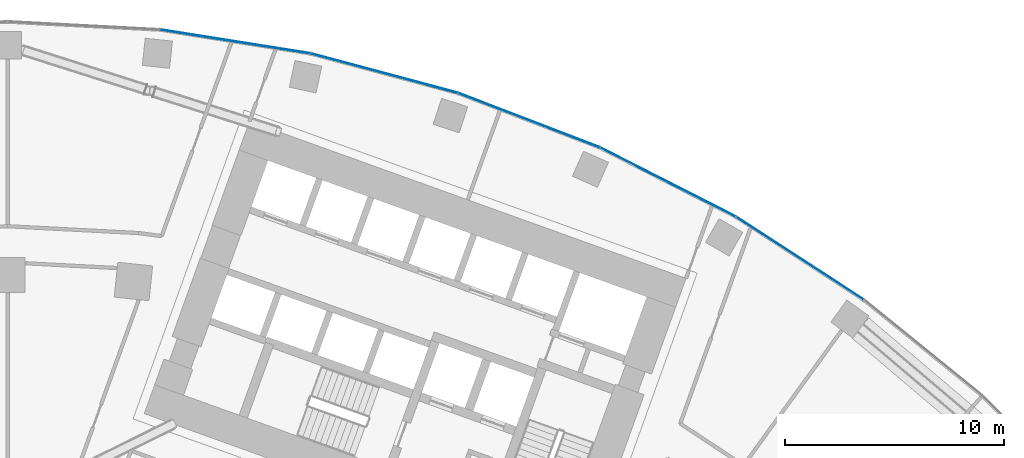
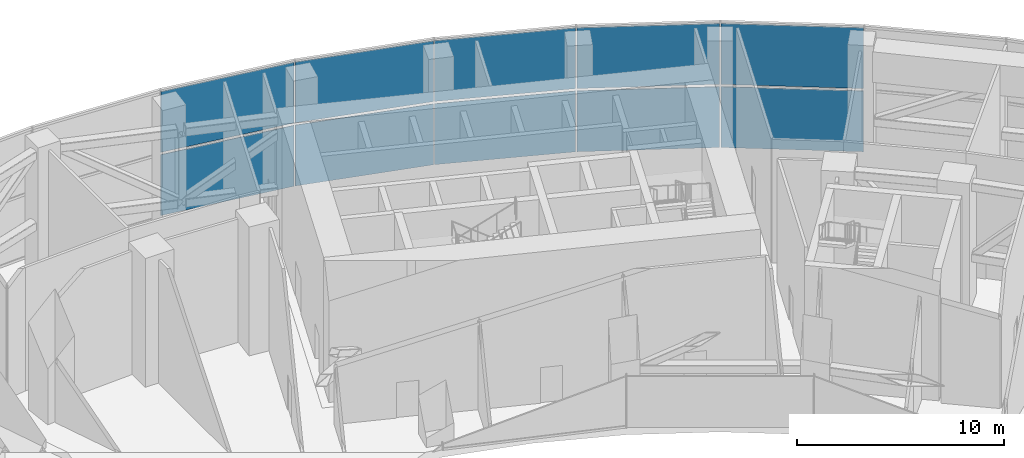
# One storey, part 21 of 33: 10 plates, 1 element without a shape of its own.
"""IFC4 building model written with IfcOpenShell, lengths in metres."""

from ifc_helpers import new_model, si_unit, direction, frame, origin, origin_2d, place, context, subcontext, project, spatial, rectangle, extrude, material, layer, layer_set, type_object, element, aggregate, save


model = new_model("IFC4")

# Units and contexts
model_context = context("Model", 3, precision=1e-05, world=origin(), true_north=direction((0.0, 1.0)))
body_context = subcontext(model_context, "Body", "Model", "MODEL_VIEW")
ifc_project = project(units=[si_unit("LENGTHUNIT", "METRE"), si_unit("AREAUNIT", "SQUARE_METRE"), si_unit("VOLUMEUNIT", "CUBIC_METRE"), si_unit("PLANEANGLEUNIT", "RADIAN"), si_unit("MASSUNIT", "GRAM", prefix="KILO")], contexts=[model_context])

# Site, building, storey
site_placement = place(None, origin())
site = spatial("IfcSite", under=ifc_project, at=site_placement, CompositionType="ELEMENT")
building_placement = place(site_placement, origin())
building = spatial("IfcBuilding", under=site, at=building_placement, Name="Stone Belt Terrace Tower", CompositionType="ELEMENT")
storey_placement = place(building_placement, frame((0.0, 0.0, 79.39990234375)))
storey = spatial("IfcBuildingStorey", under=building, at=storey_placement, Name="L19", CompositionType="ELEMENT", Elevation=79.39990234375)

# Curtain wall, plates
ifc_material_1 = material(Name="Aluminium 6063-T6 anodised frame", Category="aluminium")
ifc_layer_1 = layer(ifc_material_1, 0.14990234375)
ifc_layer_set_1 = layer_set([ifc_layer_1], Name="CW-A unitised convex-face curtain wall")
curtain_wall_type = type_object("IfcCurtainWallType", Name="CW-A unitised convex-face curtain wall", PredefinedType="NOTDEFINED", material=ifc_layer_set_1)
curtain_wall_placement = place(storey_placement, origin())
curtain_wall = element("IfcCurtainWall", 1, at=curtain_wall_placement, inside=storey, type_object=curtain_wall_type, Name="CW-A convex face L19", PredefinedType="NOTDEFINED")
ifc_material_2 = material(Name="Terracotta coloured glazed ceramic", Category="masonry")
ifc_layer_2 = layer(ifc_material_2, 0.031982421875)
ifc_layer_set_2 = layer_set([ifc_layer_2], Name="CW-A ceramic louvre panel 32")
plate_type = type_object("IfcPlateType", Name="CW-A ceramic louvre panel 32", PredefinedType="CURTAIN_PANEL", material=ifc_layer_set_2)
plate_1_placement = place(storey_placement, frame((36.209716796875, 55.758056640625, 0.14013671875), z_axis=(0.0, 0.0, 1.0), x_axis=(-0.838670567945, 0.544639035015, 0.0)))
plate_1 = element("IfcPlate", 2, at=plate_1_placement, type_object=plate_type, Name="CW-A louvre panel 4.1", PredefinedType="CURTAIN_PANEL", context=body_context, shape_type="SweptSolid", body=[
    extrude(rectangle(XDim=6.90087890625, YDim=0.031982421875, at=origin_2d()), origin(), (0.0, 0.0, 1.0), 3.590087890625),
])
plate_2_placement = place(storey_placement, frame((36.209716796875, 55.758056640625, 3.8701171875), z_axis=(0.0, 0.0, 1.0), x_axis=(-0.838670567945, 0.544639035015, 0.0)))
plate_2 = element("IfcPlate", 3, at=plate_2_placement, type_object=plate_type, Name="CW-A louvre panel 4.2", PredefinedType="CURTAIN_PANEL", context=body_context, shape_type="SweptSolid", body=[
    extrude(rectangle(XDim=6.90087890625, YDim=0.031982421875, at=origin_2d()), origin(), (0.0, 0.0, 1.0), 3.590087890625),
])
plate_3_placement = place(storey_placement, frame((30.18310546875, 59.237548828125, 0.14013671875), z_axis=(0.0, 0.0, 1.0), x_axis=(-0.891006524188, 0.45399049974, 0.0)))
plate_3 = element("IfcPlate", 4, at=plate_3_placement, type_object=plate_type, Name="CW-A louvre panel 5.1", PredefinedType="CURTAIN_PANEL", context=body_context, shape_type="SweptSolid", body=[
    extrude(rectangle(XDim=6.90087890625, YDim=0.031982421875, at=origin_2d()), origin(), (0.0, 0.0, 1.0), 3.590087890625),
])
plate_4_placement = place(storey_placement, frame((30.18310546875, 59.237548828125, 3.8701171875), z_axis=(0.0, 0.0, 1.0), x_axis=(-0.891006524188, 0.45399049974, 0.0)))
plate_4 = element("IfcPlate", 5, at=plate_4_placement, type_object=plate_type, Name="CW-A louvre panel 5.2", PredefinedType="CURTAIN_PANEL", context=body_context, shape_type="SweptSolid", body=[
    extrude(rectangle(XDim=6.90087890625, YDim=0.031982421875, at=origin_2d()), origin(), (0.0, 0.0, 1.0), 3.590087890625),
])
plate_5_placement = place(storey_placement, frame((23.82568359375, 62.068115234375, 0.14013671875), z_axis=(0.0, 0.0, 1.0), x_axis=(-0.933580426497, 0.358367949545, 0.0)))
plate_5 = element("IfcPlate", 6, at=plate_5_placement, type_object=plate_type, Name="CW-A louvre panel 6.1", PredefinedType="CURTAIN_PANEL", context=body_context, shape_type="SweptSolid", body=[
    extrude(rectangle(XDim=6.90087890625, YDim=0.031982421875, at=origin_2d()), origin(), (0.0, 0.0, 1.0), 3.590087890625),
])
plate_6_placement = place(storey_placement, frame((23.82568359375, 62.068115234375, 3.8701171875), z_axis=(0.0, 0.0, 1.0), x_axis=(-0.933580426497, 0.358367949545, 0.0)))
plate_6 = element("IfcPlate", 7, at=plate_6_placement, type_object=plate_type, Name="CW-A louvre panel 6.2", PredefinedType="CURTAIN_PANEL", context=body_context, shape_type="SweptSolid", body=[
    extrude(rectangle(XDim=6.90087890625, YDim=0.031982421875, at=origin_2d()), origin(), (0.0, 0.0, 1.0), 3.590087890625),
])
plate_7_placement = place(storey_placement, frame((17.207275390625, 64.218505859375, 0.14013671875), z_axis=(0.0, 0.0, 1.0), x_axis=(-0.965925826289, 0.258819045103, 0.0)))
plate_7 = element("IfcPlate", 8, at=plate_7_placement, type_object=plate_type, Name="CW-A louvre panel 7.1", PredefinedType="CURTAIN_PANEL", context=body_context, shape_type="SweptSolid", body=[
    extrude(rectangle(XDim=6.90087890625, YDim=0.031982421875, at=origin_2d()), origin(), (0.0, 0.0, 1.0), 3.590087890625),
])
plate_8_placement = place(storey_placement, frame((17.207275390625, 64.218505859375, 3.8701171875), z_axis=(0.0, 0.0, 1.0), x_axis=(-0.965925826289, 0.258819045103, 0.0)))
plate_8 = element("IfcPlate", 9, at=plate_8_placement, type_object=plate_type, Name="CW-A louvre panel 7.2", PredefinedType="CURTAIN_PANEL", context=body_context, shape_type="SweptSolid", body=[
    extrude(rectangle(XDim=6.90087890625, YDim=0.031982421875, at=origin_2d()), origin(), (0.0, 0.0, 1.0), 3.590087890625),
])
plate_9_placement = place(storey_placement, frame((10.400390625, 65.665283203125, 0.14013671875), z_axis=(0.0, 0.0, 1.0), x_axis=(-0.987688340595, 0.15643446504, 0.0)))
plate_9 = element("IfcPlate", 10, at=plate_9_placement, type_object=plate_type, Name="CW-A louvre panel 8.1", PredefinedType="CURTAIN_PANEL", context=body_context, shape_type="SweptSolid", body=[
    extrude(rectangle(XDim=6.90087890625, YDim=0.031982421875, at=origin_2d()), origin(), (0.0, 0.0, 1.0), 3.590087890625),
])
plate_10_placement = place(storey_placement, frame((10.400390625, 65.665283203125, 3.8701171875), z_axis=(0.0, 0.0, 1.0), x_axis=(-0.987688340595, 0.15643446504, 0.0)))
plate_10 = element("IfcPlate", 11, at=plate_10_placement, type_object=plate_type, Name="CW-A louvre panel 8.2", PredefinedType="CURTAIN_PANEL", context=body_context, shape_type="SweptSolid", body=[
    extrude(rectangle(XDim=6.90087890625, YDim=0.031982421875, at=origin_2d()), origin(), (0.0, 0.0, 1.0), 3.590087890625),
])
aggregate(curtain_wall, [plate_1, plate_2, plate_3, plate_4, plate_5, plate_6, plate_7, plate_8, plate_9, plate_10])

save(model, "model.ifc")
